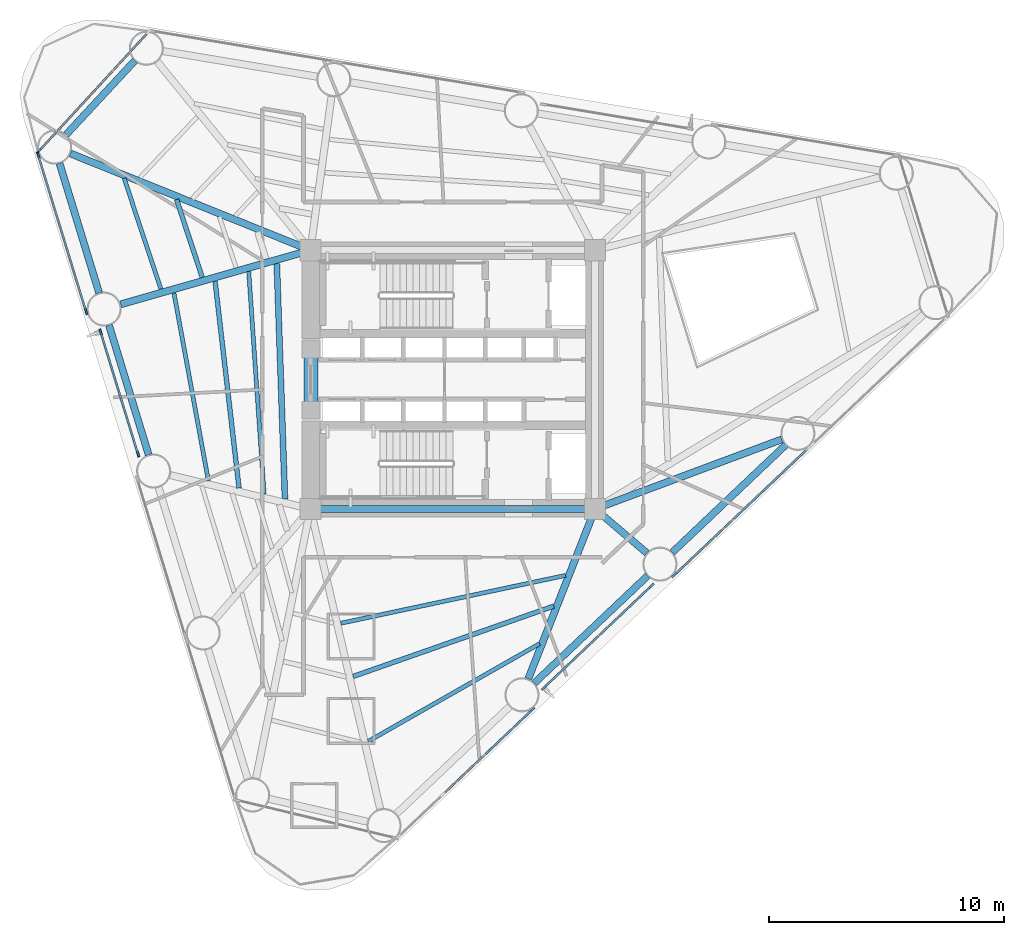
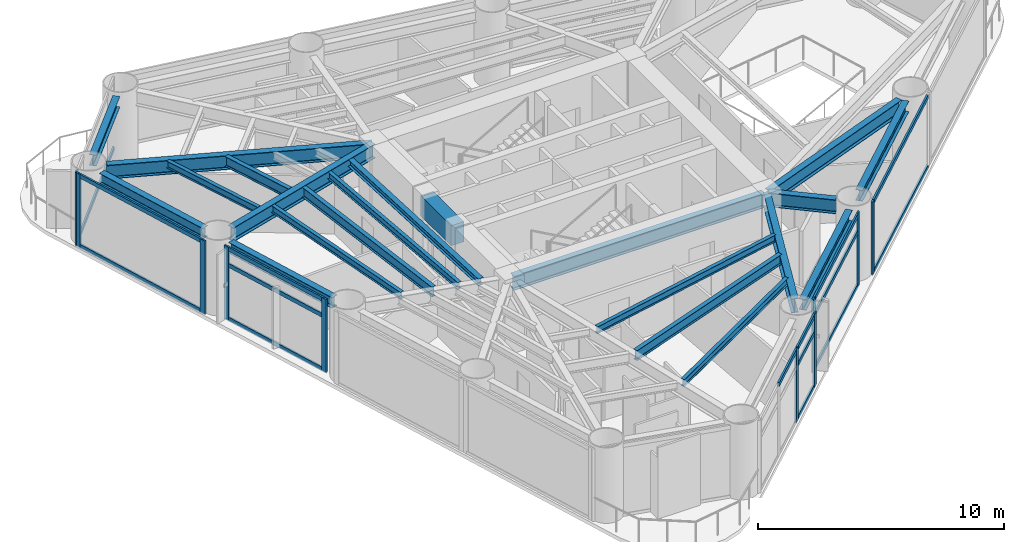
# One storey, part 2 of 10: 25 members, 21 beams, 6 elements without a shape of their own.
"""IFC4 building model written with IfcOpenShell, lengths in metres."""

import ifcopenshell
import ifcopenshell.guid

model = None  # the IFC model being written
_history = None  # IfcOwnerHistory: only IFC2X3 demands one
_inside = {}  # id of a spatial element -> (the spatial element, [elements in it])
_under = {}  # id of a project, library or spatial element -> (it, [spatial elements below it])
_declared = {}  # id of a project -> (the project, [libraries it declares])
_typed = {}  # id of a type object -> (the type object, [elements of that type])
_made_of = {}  # id of a material, layer set ... -> (it, [elements and type objects made of it])


def new_model(schema):
    """Start an empty IFC model of exactly this schema.

    Asked for "IFC4X3", IfcOpenShell would pick the latest addendum, in which some entities
    have other attributes; the version numbers below select the first issue.
    IFC2X3 requires an IfcOwnerHistory on every rooted entity: one is made here for all.
    """
    global model, _history
    if schema == "IFC4X3":
        model = ifcopenshell.file(schema_version=(4, 3, 0, 0))
    else:
        model = ifcopenshell.file(schema=schema)
    _inside.clear()
    _under.clear()
    _declared.clear()
    _typed.clear()
    _made_of.clear()
    _history = None
    if model.schema == "IFC2X3":
        org = make("IfcOrganization", Name="unknown")
        user = make(
            "IfcPersonAndOrganization",
            ThePerson=make("IfcPerson", FamilyName="unknown"),
            TheOrganization=org,
        )
        app = make(
            "IfcApplication",
            ApplicationDeveloper=org,
            Version="unknown",
            ApplicationFullName="unknown",
            ApplicationIdentifier="unknown",
        )
        _history = make(
            "IfcOwnerHistory",
            OwningUser=user,
            OwningApplication=app,
            ChangeAction="ADDED",
            CreationDate=0,
        )
    return model


def make(cls, **values):
    """One entity of the class cls with the attributes given. An attribute that is None is left unset."""
    return model.create_entity(
        cls, **{name: value for name, value in values.items() if value is not None}
    )


def rooted(cls, **values):
    """An entity with a GlobalId (a new one), such as an element, a storey or a relation."""
    return make(cls, GlobalId=ifcopenshell.guid.new(), OwnerHistory=_history, **values)


def si_unit(unit_type, name, prefix=None):
    """IfcSIUnit, for example si_unit("LENGTHUNIT", "METRE", prefix="MILLI")."""
    return make("IfcSIUnit", UnitType=unit_type, Prefix=prefix, Name=name)


def assignment(units):
    """IfcUnitAssignment: the units of a project."""
    return None if units is None else make("IfcUnitAssignment", Units=units)


def point(xyz):
    """IfcCartesianPoint."""
    return None if xyz is None else make("IfcCartesianPoint", Coordinates=xyz)


def direction(xyz):
    """IfcDirection."""
    return None if xyz is None else make("IfcDirection", DirectionRatios=xyz)


def frame(location, z_axis=None, x_axis=None):
    """IfcAxis2Placement3D, a coordinate frame: its origin and axes. An axis left out is left unset."""
    return make(
        "IfcAxis2Placement3D",
        Location=point(location),
        Axis=direction(z_axis),
        RefDirection=direction(x_axis),
    )


def frame_2d(location, x_axis=None):
    """IfcAxis2Placement2D, a coordinate frame in the plane: its origin and x axis."""
    return make(
        "IfcAxis2Placement2D", Location=point(location), RefDirection=direction(x_axis)
    )


def origin():
    """The frame at (0, 0, 0) with its axes left unset."""
    return frame((0.0, 0.0, 0.0))


def origin_2d():
    """The frame at (0, 0) in the plane with its x axis left unset."""
    return frame_2d((0.0, 0.0))


def place(relative_to, where):
    """IfcLocalPlacement: puts the frame where relative to a parent placement (None: the world)."""
    return make(
        "IfcLocalPlacement", PlacementRelTo=relative_to, RelativePlacement=where
    )


def context(
    kind, dimensions, precision=None, world=None, true_north=None, identifier=None
):
    """IfcGeometricRepresentationContext, for example the 3D "Model" context."""
    return make(
        "IfcGeometricRepresentationContext",
        ContextIdentifier=identifier,
        ContextType=kind,
        CoordinateSpaceDimension=dimensions,
        Precision=precision,
        WorldCoordinateSystem=world,
        TrueNorth=true_north,
    )


def subcontext(parent, identifier, kind, view, scale=None):
    """IfcGeometricRepresentationSubContext, for example "Body" below "Model"."""
    return make(
        "IfcGeometricRepresentationSubContext",
        ContextIdentifier=identifier,
        ContextType=kind,
        ParentContext=parent,
        TargetScale=scale,
        TargetView=view,
    )


def project(units=None, contexts=None):
    """IfcProject with its units and contexts."""
    return rooted(
        "IfcProject",
        Name="project",
        RepresentationContexts=contexts,
        UnitsInContext=assignment(units),
    )


def spatial(cls, under=None, at=None, **own):
    """A site, building, storey or space (cls), placed at a placement, below another one or the project."""
    s = rooted(cls, ObjectPlacement=at, **own)
    if under is not None:
        _under.setdefault(under.id(), (under, []))[1].append(s)
    return s


def profile(cls, at=None, kind="AREA", **sizes):
    """A parametric profile (cls). Its sizes go by their IFC names, for example OverallWidth=200.0."""
    return make(cls, ProfileType=kind, Position=at, **sizes)


def rectangle(**sizes):
    """IfcRectangleProfileDef."""
    return profile("IfcRectangleProfileDef", **sizes)


def i_section(**sizes):
    """IfcIShapeProfileDef."""
    return profile("IfcIShapeProfileDef", **sizes)


def extrude(swept, where, along, depth):
    """IfcExtrudedAreaSolid: the profile swept, set in the frame where, extruded along a direction by depth."""
    return make(
        "IfcExtrudedAreaSolid",
        SweptArea=swept,
        Position=where,
        ExtrudedDirection=direction(along),
        Depth=depth,
    )


def shape(context_of_items, identifier, shape_type, items):
    """IfcShapeRepresentation: the items that make up one representation, for example the "Body"."""
    return make(
        "IfcShapeRepresentation",
        ContextOfItems=context_of_items,
        RepresentationIdentifier=identifier,
        RepresentationType=shape_type,
        Items=items,
    )


def source(mapping_origin, context_of_items, identifier, shape_type, items):
    """IfcRepresentationMap: a shape defined once, which mapped items show again and again."""
    return make(
        "IfcRepresentationMap",
        MappingOrigin=mapping_origin,
        MappedRepresentation=shape(context_of_items, identifier, shape_type, items),
    )


def transform(
    local_origin,
    x_axis=None,
    y_axis=None,
    z_axis=None,
    scale=None,
    scale2=None,
    scale3=None,
    uniform=True,
):
    """IfcCartesianTransformationOperator3D, or its non-uniform kind. x_axis, y_axis, z_axis: its Axis1, 2, 3."""
    if uniform:
        return make(
            "IfcCartesianTransformationOperator3D",
            Axis1=direction(x_axis),
            Axis2=direction(y_axis),
            LocalOrigin=point(local_origin),
            Scale=scale,
            Axis3=direction(z_axis),
        )
    return make(
        "IfcCartesianTransformationOperator3DnonUniform",
        Axis1=direction(x_axis),
        Axis2=direction(y_axis),
        LocalOrigin=point(local_origin),
        Scale=scale,
        Axis3=direction(z_axis),
        Scale2=scale2,
        Scale3=scale3,
    )


def mapped(mapping_source, mapping_target):
    """IfcMappedItem: shows the shape of a source again, moved by a transform."""
    return make(
        "IfcMappedItem", MappingSource=mapping_source, MappingTarget=mapping_target
    )


def material(Name=None, Category=None):
    """IfcMaterial."""
    return make("IfcMaterial", Name=Name, Category=Category)


def layer(
    of_material, thickness, ventilated=None, Name=None, Category=None, Priority=None
):
    """IfcMaterialLayer: one layer of a wall or slab, of a material (None: an air gap)."""
    return make(
        "IfcMaterialLayer",
        Material=of_material,
        LayerThickness=thickness,
        IsVentilated=ventilated,
        Name=Name,
        Category=Category,
        Priority=Priority,
    )


def layer_set(layers, Name=None):
    """IfcMaterialLayerSet."""
    return make("IfcMaterialLayerSet", MaterialLayers=layers, LayerSetName=Name)


def material_profile(
    of_material, cross_section, Name=None, Category=None, Priority=None
):
    """IfcMaterialProfile: a cross section and its material."""
    return make(
        "IfcMaterialProfile",
        Name=Name,
        Material=of_material,
        Profile=cross_section,
        Priority=Priority,
        Category=Category,
    )


def profile_set(profiles, Name=None, composite=None):
    """IfcMaterialProfileSet."""
    return make(
        "IfcMaterialProfileSet",
        Name=Name,
        MaterialProfiles=profiles,
        CompositeProfile=composite,
    )


def made_of(thing, what):
    """Note that an element or type object is made of a material, layer set ...; save() writes the relation."""
    if what is not None:
        _made_of.setdefault(what.id(), (what, []))[1].append(thing)
    return thing


def type_object(cls, material=None, **own):
    """A type object (cls), such as IfcWallType, which elements share."""
    return made_of(rooted(cls, **own), material)


def element(
    cls,
    number,
    at=None,
    inside=None,
    cuts=None,
    type_object=None,
    material=None,
    context=None,
    identifier="Body",
    shape_type=None,
    held_by="IfcProductDefinitionShape",
    body=None,
    shapes=None,
    **own,
):
    """One element of the class cls, such as IfcWall. Its Tag is "e" and its number.

    at: its placement. inside: the storey or other place that contains it. cuts: it is an
    opening in that element (IfcRelVoidsElement). A single representation is given by context,
    identifier, shape_type and body (its items); several are given by shapes. held_by: the class
    of the entity that holds the representations. save() writes the other relations.
    """
    e = rooted(cls, Tag="e%d" % number, ObjectPlacement=at, **own)
    if body is not None:
        shapes = [shape(context, identifier, shape_type, body)]
    if shapes is not None:
        e.Representation = make(held_by, Representations=shapes)
    if inside is not None:
        _inside.setdefault(inside.id(), (inside, []))[1].append(e)
    if cuts is not None:
        rooted(
            "IfcRelVoidsElement", RelatingBuildingElement=cuts, RelatedOpeningElement=e
        )
    if type_object is not None:
        _typed.setdefault(type_object.id(), (type_object, []))[1].append(e)
    return made_of(e, material)


def aggregate(whole, parts):
    """IfcRelAggregates: a whole, such as a stair, and the parts it consists of."""
    return rooted("IfcRelAggregates", RelatingObject=whole, RelatedObjects=parts)


def save(model, path):
    """Write the relations noted so far, then the file.

    IfcRelAggregates (storeys below a building ...), IfcRelContainedInSpatialStructure (elements
    in a storey), IfcRelDefinesByType, IfcRelAssociatesMaterial and IfcRelDeclares: one each for
    every whole, place, type object, material and project.
    """
    for whole, parts in _under.values():
        aggregate(whole, parts)
    for where, things in _inside.values():
        rooted(
            "IfcRelContainedInSpatialStructure",
            RelatedElements=things,
            RelatingStructure=where,
        )
    for kind, things in _typed.values():
        rooted("IfcRelDefinesByType", RelatedObjects=things, RelatingType=kind)
    for what, things in _made_of.values():
        rooted("IfcRelAssociatesMaterial", RelatedObjects=things, RelatingMaterial=what)
    for by, libraries in _declared.values():
        rooted("IfcRelDeclares", RelatingContext=by, RelatedDefinitions=libraries)
    model.write(path)


model = new_model("IFC4")

# Units and contexts
model_context = context("Model", 3, precision=1e-05, world=origin(), true_north=direction((0.0, 1.0)))
body_context = subcontext(model_context, "Body", "Model", "MODEL_VIEW")
ifc_project = project(units=[si_unit("LENGTHUNIT", "METRE"), si_unit("AREAUNIT", "SQUARE_METRE"), si_unit("VOLUMEUNIT", "CUBIC_METRE"), si_unit("PLANEANGLEUNIT", "RADIAN"), si_unit("MASSUNIT", "GRAM", prefix="KILO")], contexts=[model_context])

# Site, building, storey
site_placement = place(None, origin())
site = spatial("IfcSite", under=ifc_project, at=site_placement, CompositionType="ELEMENT")
building_placement = place(site_placement, origin())
building = spatial("IfcBuilding", under=site, at=building_placement, Name="Yunling Apex Tower", CompositionType="ELEMENT")
storey_placement = place(building_placement, frame((0.0, 0.0, 108.64990234375)))
storey = spatial("IfcBuildingStorey", under=building, at=storey_placement, Name="L27", CompositionType="ELEMENT", Elevation=108.64990234375)

# Beams
ifc_material_1 = material(Name="Concrete C60", Category="concrete")
ifc_material_profile_1 = material_profile(ifc_material_1, rectangle(XDim=0.60009765625, YDim=1.0, at=origin_2d()))
ifc_profile_set_1 = profile_set([ifc_material_profile_1], Name="Concrete C60")
beam_type_1 = type_object("IfcBeamType", Name="BC-CPL-1", PredefinedType="BEAM", material=ifc_profile_set_1)
shared_shape_1 = source(origin(), body_context, "Body", "SweptSolid", [
    extrude(rectangle(XDim=0.60009765625, YDim=1.0, at=origin_2d()), origin(), (0.0, 0.0, 1.0), 2.5),
])
beam_1_placement = place(storey_placement, frame((-6.02490234375, -1.25, 3.065185546875), z_axis=(0.0, 1.0, 0.0), x_axis=(-1.0, 0.0, 0.0)))
element("IfcBeam", 1, at=beam_1_placement, inside=storey, type_object=beam_type_1, Name="L27 Core West Portal Coupling Beam", PredefinedType="BEAM", context=body_context, shape_type="MappedRepresentation", body=[
    mapped(shared_shape_1, transform((0.0, 0.0, 0.0), scale=1.0)),
])
ifc_material_2 = material(Name="Steel Q355B", Category="steel")
ifc_material_profile_2 = material_profile(ifc_material_2, i_section(OverallWidth=0.300048828125, OverallDepth=0.699951171875, WebThickness=0.012939453125, FlangeThickness=0.02392578125, FilletRadius=0.02587890625, at=origin_2d()))
ifc_profile_set_2 = profile_set([ifc_material_profile_2], Name="Steel Q355B")
beam_type_2 = type_object("IfcBeamType", Name="BG-PRI-3", PredefinedType="USERDEFINED", material=ifc_profile_set_2)
shared_shape_2 = source(origin(), body_context, "Body", "SweptSolid", [
    extrude(i_section(OverallWidth=0.300048828125, OverallDepth=0.699951171875, WebThickness=0.012939453125, FlangeThickness=0.02392578125, FilletRadius=0.02587890625, at=origin_2d()), origin(), (0.0, 0.0, 1.0), 11.7998046875),
])
beam_2_placement = place(storey_placement, frame((-5.89990234375, -5.5, 3.215087890625), z_axis=(1.0, 0.0, 0.0), x_axis=(0.0, 1.0, 0.0)))
element("IfcBeam", 2, at=beam_2_placement, inside=storey, type_object=beam_type_2, Name="L27 Core Ring Tie Beam 1", ObjectType="GIRDER", PredefinedType="USERDEFINED", context=body_context, shape_type="MappedRepresentation", body=[
    mapped(shared_shape_2, transform((0.0, 0.0, 0.0), scale=1.0)),
])
ifc_material_profile_3 = material_profile(ifc_material_2, i_section(OverallWidth=0.300048828125, OverallDepth=0.5400390625, WebThickness=0.011962890625, FlangeThickness=0.02001953125, FilletRadius=0.02392578125, at=origin_2d()))
ifc_profile_set_3 = profile_set([ifc_material_profile_3], Name="Steel Q355B")
beam_type_3 = type_object("IfcBeamType", Name="BP-SPN-1", PredefinedType="SPANDREL", material=ifc_profile_set_3)
shared_shape_3 = source(origin(), body_context, "Body", "SweptSolid", [
    extrude(i_section(OverallWidth=0.300048828125, OverallDepth=0.5400390625, WebThickness=0.011962890625, FlangeThickness=0.02001953125, FilletRadius=0.02392578125, at=origin_2d()), origin(), (0.0, 0.0, 1.0), 6.6416015625),
])
for number, where, z_axis, x_axis, name in (
    (3, (3.465087890625, -12.90771484375, 3.295166015625), (0.725873473547, 0.687828249203, 0.0), (-0.687828249203, 0.725873473547, 0.0), "L27 Perimeter Spandrel Beam 2"),
    (4, (9.330078125, -7.35009765625, 3.295166015625), (0.72585608204, 0.687846602205, 0.0), (-0.687846602205, 0.72585608204, 0.0), "L27 Perimeter Spandrel Beam 3"),
):
    element("IfcBeam", number, at=place(storey_placement, frame(where, z_axis=z_axis, x_axis=x_axis)), inside=storey, type_object=beam_type_3, Name=name, PredefinedType="SPANDREL", context=body_context, shape_type="MappedRepresentation", body=[
        mapped(shared_shape_3, transform((0.0, 0.0, 0.0), scale=1.0)),
    ])
shared_shape_4 = source(origin(), body_context, "Body", "SweptSolid", [
    extrude(i_section(OverallWidth=0.300048828125, OverallDepth=0.5400390625, WebThickness=0.011962890625, FlangeThickness=0.02001953125, FilletRadius=0.02392578125, at=origin_2d()), origin(), (0.0, 0.0, 1.0), 4.296875),
])
beam_3_placement = place(storey_placement, frame((-13.513671875, 13.55810546875, 3.295166015625), z_axis=(-0.680634144105, -0.732623478929, 0.0), x_axis=(0.732623478929, -0.680634144105, 0.0)))
element("IfcBeam", 5, at=beam_3_placement, inside=storey, type_object=beam_type_3, Name="L27 Perimeter Spandrel Beam 10", PredefinedType="SPANDREL", context=body_context, shape_type="MappedRepresentation", body=[
    mapped(shared_shape_4, transform((0.0, 0.0, 0.0), scale=1.0)),
])
shared_shape_5 = source(origin(), body_context, "Body", "SweptSolid", [
    extrude(i_section(OverallWidth=0.300048828125, OverallDepth=0.5400390625, WebThickness=0.011962890625, FlangeThickness=0.02001953125, FilletRadius=0.02392578125, at=origin_2d()), origin(), (0.0, 0.0, 1.0), 5.76220703125),
])
for number, where, z_axis, x_axis, name in (
    (6, (-16.71728515625, 9.19580078125, 3.295166015625), (0.292346626925, -0.956312422656, 0.0), (0.956312422656, 0.292346626925, 0.0), "L27 Perimeter Spandrel Beam 11"),
    (7, (-14.6123046875, 2.31005859375, 3.295166015625), (0.292385374143, -0.956300576695, 0.0), (0.956300576695, 0.292385374143, 0.0), "L27 Perimeter Spandrel Beam 12"),
):
    element("IfcBeam", number, at=place(storey_placement, frame(where, z_axis=z_axis, x_axis=x_axis)), inside=storey, type_object=beam_type_3, Name=name, PredefinedType="SPANDREL", context=body_context, shape_type="MappedRepresentation", body=[
        mapped(shared_shape_5, transform((0.0, 0.0, 0.0), scale=1.0)),
    ])
shared_shape_6 = source(origin(), body_context, "Body", "SweptSolid", [
    extrude(i_section(OverallWidth=0.300048828125, OverallDepth=0.699951171875, WebThickness=0.012939453125, FlangeThickness=0.02392578125, FilletRadius=0.02587890625, at=origin_2d()), origin(), (0.0, 0.0, 1.0), 7.67822265625),
])
beam_4_placement = place(storey_placement, frame((3.21142578125, -12.72021484375, 3.215087890625), z_axis=(0.365885513893, 0.930659868439, 0.0), x_axis=(-0.930659868439, 0.365885513893, 0.0)))
element("IfcBeam", 8, at=beam_4_placement, inside=storey, type_object=beam_type_2, Name="L27 Radial Primary Girder R02", ObjectType="GIRDER", PredefinedType="USERDEFINED", context=body_context, shape_type="MappedRepresentation", body=[
    mapped(shared_shape_6, transform((0.0, 0.0, 0.0), scale=1.0)),
])
shared_shape_7 = source(origin(), body_context, "Body", "SweptSolid", [
    extrude(i_section(OverallWidth=0.300048828125, OverallDepth=0.699951171875, WebThickness=0.012939453125, FlangeThickness=0.02392578125, FilletRadius=0.02587890625, at=origin_2d()), origin(), (0.0, 0.0, 1.0), 2.80712890625),
])
beam_5_placement = place(storey_placement, frame((8.24951171875, -7.3701171875, 3.215087890625), z_axis=(-0.761816983267, 0.647792315489, 0.0), x_axis=(-0.647792315489, -0.761816983267, 0.0)))
element("IfcBeam", 9, at=beam_5_placement, inside=storey, type_object=beam_type_2, Name="L27 Radial Primary Girder R03", ObjectType="GIRDER", PredefinedType="USERDEFINED", context=body_context, shape_type="MappedRepresentation", body=[
    mapped(shared_shape_7, transform((0.0, 0.0, 0.0), scale=1.0)),
])
shared_shape_8 = source(origin(), body_context, "Body", "SweptSolid", [
    extrude(i_section(OverallWidth=0.300048828125, OverallDepth=0.699951171875, WebThickness=0.012939453125, FlangeThickness=0.02392578125, FilletRadius=0.02587890625, at=origin_2d()), origin(), (0.0, 0.0, 1.0), 8.388916015625),
])
beam_6_placement = place(storey_placement, frame((13.98583984375, -2.54296875, 3.215087890625), z_axis=(-0.937056723422, -0.349177171489, 0.0), x_axis=(0.349177171489, -0.937056723422, 0.0)))
element("IfcBeam", 10, at=beam_6_placement, inside=storey, type_object=beam_type_2, Name="L27 Radial Primary Girder R04", ObjectType="GIRDER", PredefinedType="USERDEFINED", context=body_context, shape_type="MappedRepresentation", body=[
    mapped(shared_shape_8, transform((0.0, 0.0, 0.0), scale=1.0)),
])
shared_shape_9 = source(origin(), body_context, "Body", "SweptSolid", [
    extrude(i_section(OverallWidth=0.300048828125, OverallDepth=0.699951171875, WebThickness=0.012939453125, FlangeThickness=0.02392578125, FilletRadius=0.02587890625, at=origin_2d()), origin(), (0.0, 0.0, 1.0), 10.91455078125),
])
beam_7_placement = place(storey_placement, frame((-16.247802734375, 9.609375, 3.215087890625), z_axis=(0.927520283233, -0.373772824309, 0.0), x_axis=(0.373772824309, 0.927520283233, 0.0)))
element("IfcBeam", 11, at=beam_7_placement, inside=storey, type_object=beam_type_2, Name="L27 Radial Primary Girder R11", ObjectType="GIRDER", PredefinedType="USERDEFINED", context=body_context, shape_type="MappedRepresentation", body=[
    mapped(shared_shape_9, transform((0.0, 0.0, 0.0), scale=1.0)),
])
shared_shape_10 = source(origin(), body_context, "Body", "SweptSolid", [
    extrude(i_section(OverallWidth=0.300048828125, OverallDepth=0.699951171875, WebThickness=0.012939453125, FlangeThickness=0.02392578125, FilletRadius=0.02587890625, at=origin_2d()), origin(), (0.0, 0.0, 1.0), 8.309326171875),
])
beam_8_placement = place(storey_placement, frame((-14.117431640625, 3.19873046875, 3.215087890625), z_axis=(0.961641387397, 0.274309755652, 0.0), x_axis=(-0.274309755652, 0.961641387397, 0.0)))
element("IfcBeam", 12, at=beam_8_placement, inside=storey, type_object=beam_type_2, Name="L27 Radial Primary Girder R12", ObjectType="GIRDER", PredefinedType="USERDEFINED", context=body_context, shape_type="MappedRepresentation", body=[
    mapped(shared_shape_10, transform((0.0, 0.0, 0.0), scale=1.0)),
])
ifc_material_profile_4 = material_profile(ifc_material_2, i_section(OverallWidth=0.199951171875, OverallDepth=0.5, WebThickness=0.010009765625, FlangeThickness=0.01611328125, FilletRadius=0.02001953125, at=origin_2d()))
ifc_profile_set_4 = profile_set([ifc_material_profile_4], Name="Steel Q355B")
beam_type_4 = type_object("IfcBeamType", Name="BS-SEC-2", PredefinedType="BEAM", material=ifc_profile_set_4)
shared_shape_11 = source(origin(), body_context, "Body", "SweptSolid", [
    extrude(i_section(OverallWidth=0.199951171875, OverallDepth=0.5, WebThickness=0.010009765625, FlangeThickness=0.01611328125, FilletRadius=0.02001953125, at=origin_2d()), origin(), (0.0, 0.0, 1.0), 9.03759765625),
])
beam_9_placement = place(storey_placement, frame((-4.23193359375, -12.619140625, 3.315185546875), z_axis=(0.943677540759, 0.330866588018, 0.0), x_axis=(-0.330866588018, 0.943677540759, 0.0)))
element("IfcBeam", 13, at=beam_9_placement, inside=storey, type_object=beam_type_4, Name="L27 Composite Floor Beam BS-1", PredefinedType="BEAM", context=body_context, shape_type="MappedRepresentation", body=[
    mapped(shared_shape_11, transform((0.0, 0.0, 0.0), scale=1.0)),
])
ifc_material_profile_5 = material_profile(ifc_material_2, i_section(OverallWidth=0.175048828125, OverallDepth=0.35009765625, WebThickness=0.007080078125, FlangeThickness=0.010986328125, FilletRadius=0.013916015625, at=origin_2d()))
ifc_profile_set_5 = profile_set([ifc_material_profile_5], Name="Steel Q355B")
beam_type_5 = type_object("IfcBeamType", Name="BJ-JST-1", PredefinedType="JOIST", material=ifc_profile_set_5)
shared_shape_12 = source(origin(), body_context, "Body", "SweptSolid", [
    extrude(i_section(OverallWidth=0.175048828125, OverallDepth=0.35009765625, WebThickness=0.007080078125, FlangeThickness=0.010986328125, FilletRadius=0.013916015625, at=origin_2d()), origin(), (0.0, 0.0, 1.0), 8.38671875),
])
beam_10_placement = place(storey_placement, frame((-3.59619140625, -15.3798828125, 3.39013671875), z_axis=(0.868817593772, 0.495132294192, 0.0), x_axis=(-0.495132294192, 0.868817593772, 0.0)))
element("IfcBeam", 14, at=beam_10_placement, inside=storey, type_object=beam_type_5, Name="L27 Composite Floor Joist BJ1-1", PredefinedType="JOIST", context=body_context, shape_type="MappedRepresentation", body=[
    mapped(shared_shape_12, transform((0.0, 0.0, 0.0), scale=1.0)),
])
shared_shape_13 = source(origin(), body_context, "Body", "SweptSolid", [
    extrude(i_section(OverallWidth=0.175048828125, OverallDepth=0.35009765625, WebThickness=0.007080078125, FlangeThickness=0.010986328125, FilletRadius=0.013916015625, at=origin_2d()), origin(), (0.0, 0.0, 1.0), 9.767578125),
])
beam_11_placement = place(storey_placement, frame((-4.756591796875, -10.3583984375, 3.39013671875), z_axis=(0.978052637888, 0.208357955263, 0.0), x_axis=(-0.208357955263, 0.978052637888, 0.0)))
element("IfcBeam", 15, at=beam_11_placement, inside=storey, type_object=beam_type_5, Name="L27 Composite Floor Joist BJ3-1", PredefinedType="JOIST", context=body_context, shape_type="MappedRepresentation", body=[
    mapped(shared_shape_13, transform((0.0, 0.0, 0.0), scale=1.0)),
])
shared_shape_14 = source(origin(), body_context, "Body", "SweptSolid", [
    extrude(i_section(OverallWidth=0.199951171875, OverallDepth=0.5, WebThickness=0.010009765625, FlangeThickness=0.01611328125, FilletRadius=0.02001953125, at=origin_2d()), origin(), (0.0, 0.0, 1.0), 3.484130859375),
])
beam_12_placement = place(storey_placement, frame((-11.7431640625, 7.662353515625, 3.315185546875), z_axis=(0.313220106306, -0.949680559455, 0.0), x_axis=(0.949680559455, 0.313220106306, 0.0)))
element("IfcBeam", 16, at=beam_12_placement, inside=storey, type_object=beam_type_4, Name="L27 Composite Floor Beam BS-11", PredefinedType="BEAM", context=body_context, shape_type="MappedRepresentation", body=[
    mapped(shared_shape_14, transform((0.0, 0.0, 0.0), scale=1.0)),
])
shared_shape_15 = source(origin(), body_context, "Body", "SweptSolid", [
    extrude(i_section(OverallWidth=0.175048828125, OverallDepth=0.35009765625, WebThickness=0.007080078125, FlangeThickness=0.010986328125, FilletRadius=0.013916015625, at=origin_2d()), origin(), (0.0, 0.0, 1.0), 4.959716796875),
])
beam_13_placement = place(storey_placement, frame((-13.97021484375, 8.56005859375, 3.39013671875), z_axis=(0.314588147489, -0.949228264149, 0.0), x_axis=(0.949228264149, 0.314588147489, 0.0)))
element("IfcBeam", 17, at=beam_13_placement, inside=storey, type_object=beam_type_5, Name="L27 Composite Floor Joist BJ1-11", PredefinedType="JOIST", context=body_context, shape_type="MappedRepresentation", body=[
    mapped(shared_shape_15, transform((0.0, 0.0, 0.0), scale=1.0)),
])
shared_shape_16 = source(origin(), body_context, "Body", "SweptSolid", [
    extrude(i_section(OverallWidth=0.199951171875, OverallDepth=0.5, WebThickness=0.010009765625, FlangeThickness=0.01611328125, FilletRadius=0.02001953125, at=origin_2d()), origin(), (0.0, 0.0, 1.0), 8.85009765625),
])
beam_14_placement = place(storey_placement, frame((-10.103759765625, 4.179443359375, 3.315185546875), z_axis=(0.115144483353, -0.993348754443, 0.0), x_axis=(0.993348754443, 0.115144483353, 0.0)))
element("IfcBeam", 18, at=beam_14_placement, inside=storey, type_object=beam_type_4, Name="L27 Composite Floor Beam BS-12", PredefinedType="BEAM", context=body_context, shape_type="MappedRepresentation", body=[
    mapped(shared_shape_16, transform((0.0, 0.0, 0.0), scale=1.0)),
])
shared_shape_17 = source(origin(), body_context, "Body", "SweptSolid", [
    extrude(i_section(OverallWidth=0.175048828125, OverallDepth=0.35009765625, WebThickness=0.007080078125, FlangeThickness=0.010986328125, FilletRadius=0.013916015625, at=origin_2d()), origin(), (0.0, 0.0, 1.0), 8.113525390625),
])
beam_15_placement = place(storey_placement, frame((-11.851318359375, 3.6796875, 3.39013671875), z_axis=(0.180333691295, -0.983605489912, 0.0), x_axis=(0.983605489912, 0.180333691295, 0.0)))
element("IfcBeam", 19, at=beam_15_placement, inside=storey, type_object=beam_type_5, Name="L27 Composite Floor Joist BJ1-12", PredefinedType="JOIST", context=body_context, shape_type="MappedRepresentation", body=[
    mapped(shared_shape_17, transform((0.0, 0.0, 0.0), scale=1.0)),
])
shared_shape_18 = source(origin(), body_context, "Body", "SweptSolid", [
    extrude(i_section(OverallWidth=0.175048828125, OverallDepth=0.35009765625, WebThickness=0.007080078125, FlangeThickness=0.010986328125, FilletRadius=0.013916015625, at=origin_2d()), origin(), (0.0, 0.0, 1.0), 9.478515625),
])
beam_16_placement = place(storey_placement, frame((-8.6728515625, 4.589111328125, 3.39013671875), z_axis=(0.068925846819, -0.997621785869, 0.0), x_axis=(0.997621785869, 0.068925846819, 0.0)))
element("IfcBeam", 20, at=beam_16_placement, inside=storey, type_object=beam_type_5, Name="L27 Composite Floor Joist BJ3-12", PredefinedType="JOIST", context=body_context, shape_type="MappedRepresentation", body=[
    mapped(shared_shape_18, transform((0.0, 0.0, 0.0), scale=1.0)),
])
ifc_material_profile_6 = material_profile(ifc_material_2, i_section(OverallWidth=0.25, OverallDepth=0.340087890625, WebThickness=0.009033203125, FlangeThickness=0.013916015625, FilletRadius=0.01806640625, at=origin_2d()))
ifc_profile_set_6 = profile_set([ifc_material_profile_6], Name="Steel Q355B")
beam_type_6 = type_object("IfcBeamType", Name="BJ-JST-2", PredefinedType="JOIST", material=ifc_profile_set_6)
shared_shape_19 = source(origin(), body_context, "Body", "SweptSolid", [
    extrude(i_section(OverallWidth=0.25, OverallDepth=0.340087890625, WebThickness=0.009033203125, FlangeThickness=0.013916015625, FilletRadius=0.01806640625, at=origin_2d()), origin(), (0.0, 0.0, 1.0), 10.016357421875),
])
beam_17_placement = place(storey_placement, frame((-7.479736328125, 4.9306640625, 3.39501953125), z_axis=(0.034684741857, -0.999398303322, 0.0), x_axis=(0.999398303322, 0.034684741857, 0.0)))
element("IfcBeam", 21, at=beam_17_placement, inside=storey, type_object=beam_type_6, Name="L27 Composite Floor Joist BJ2-12", PredefinedType="JOIST", context=body_context, shape_type="MappedRepresentation", body=[
    mapped(shared_shape_19, transform((0.0, 0.0, 0.0), scale=1.0)),
])

# Curtain wall, members
ifc_material_3 = material(Name="Bronze anodised aluminium", Category="aluminium")
ifc_layer = layer(ifc_material_3, 0.260009765625)
ifc_layer_set = layer_set([ifc_layer], Name="Bronze anodised aluminium")
curtain_wall_type = type_object("IfcCurtainWallType", Name="CW-SYS-2", PredefinedType="NOTDEFINED", material=ifc_layer_set)
curtain_wall_1_placement = place(storey_placement, origin())
curtain_wall_1 = element("IfcCurtainWall", 22, at=curtain_wall_1_placement, inside=storey, type_object=curtain_wall_type, Name="CW-L27-F1-B1", PredefinedType="NOTDEFINED")
ifc_material_profile_7 = material_profile(ifc_material_3, rectangle(XDim=0.0849609375, YDim=0.260009765625, at=origin_2d()))
ifc_profile_set_7 = profile_set([ifc_material_profile_7], Name="Bronze anodised aluminium")
member_type_1 = type_object("IfcMemberType", Name="CW-MUL-2", PredefinedType="MULLION", material=ifc_profile_set_7)
shared_shape_20 = source(origin(), body_context, "Body", "SweptSolid", [
    extrude(rectangle(XDim=0.0849609375, YDim=0.260009765625, at=origin_2d()), origin(), (0.0, 0.0, 1.0), 3.664794921875),
])
member_1_placement = place(storey_placement, frame((1.491943359375, -15.824951171875, -0.0498046875), z_axis=(0.0, 0.0, 1.0), x_axis=(-0.687861264918, 0.72584218686, 0.0)))
member_1 = element("IfcMember", 23, at=member_1_placement, type_object=member_type_1, Name="CW-SYS-2 mullion 3", PredefinedType="MULLION", context=body_context, shape_type="MappedRepresentation", body=[
    mapped(shared_shape_20, transform((0.0, 0.0, 0.0), scale=1.0)),
])
member_2_placement = place(storey_placement, frame((3.377197265625, -14.038330078125, -0.0498046875), z_axis=(0.0, 0.0, 1.0), x_axis=(-0.687861264918, 0.72584218686, 0.0)))
member_2 = element("IfcMember", 24, at=member_2_placement, type_object=member_type_1, Name="CW-SYS-2 mullion 4", PredefinedType="MULLION", context=body_context, shape_type="MappedRepresentation", body=[
    mapped(shared_shape_20, transform((0.0, 0.0, 0.0), scale=1.0)),
])

curtain_wall_2_placement = place(storey_placement, origin())
curtain_wall_2 = element("IfcCurtainWall", 25, at=curtain_wall_2_placement, inside=storey, type_object=curtain_wall_type, Name="CW-L27-F1-B2", PredefinedType="NOTDEFINED")
member_3_placement = place(storey_placement, frame((3.87646484375, -13.096923828125, -0.0498046875), z_axis=(0.0, 0.0, 1.0), x_axis=(-0.687844480924, 0.725858092234, 0.0)))
member_3 = element("IfcMember", 26, at=member_3_placement, type_object=member_type_1, Name="CW-SYS-2 mullion 1", PredefinedType="MULLION", context=body_context, shape_type="MappedRepresentation", body=[
    mapped(shared_shape_20, transform((0.0, 0.0, 0.0), scale=1.0)),
])
member_4_placement = place(storey_placement, frame((8.452880859375, -8.76025390625, -0.0498046875), z_axis=(0.0, 0.0, 1.0), x_axis=(-0.687844480924, 0.725858092234, 0.0)))
member_4 = element("IfcMember", 27, at=member_4_placement, type_object=member_type_1, Name="CW-SYS-2 mullion 2", PredefinedType="MULLION", context=body_context, shape_type="MappedRepresentation", body=[
    mapped(shared_shape_20, transform((0.0, 0.0, 0.0), scale=1.0)),
])

# Curtain wall, member
curtain_wall_3_placement = place(storey_placement, origin())
curtain_wall_3 = element("IfcCurtainWall", 28, at=curtain_wall_3_placement, inside=storey, type_object=curtain_wall_type, Name="CW-L27-F1-B3", PredefinedType="NOTDEFINED")
member_5_placement = place(storey_placement, frame((9.419921875, -8.312255859375, -0.0498046875), z_axis=(0.0, 0.0, 1.0), x_axis=(-0.687861264918, 0.72584218686, 0.0)))
member_5 = element("IfcMember", 29, at=member_5_placement, type_object=member_type_1, Name="CW-SYS-2 mullion 1", PredefinedType="MULLION", context=body_context, shape_type="MappedRepresentation", body=[
    mapped(shared_shape_20, transform((0.0, 0.0, 0.0), scale=1.0)),
])

curtain_wall_4_placement = place(storey_placement, origin())
curtain_wall_4 = element("IfcCurtainWall", 30, at=curtain_wall_4_placement, inside=storey, type_object=curtain_wall_type, Name="CW-L27-CRN2", PredefinedType="NOTDEFINED")
member_6_placement = place(storey_placement, frame((-17.6064453125, 9.6982421875, -0.0498046875), z_axis=(0.0, 0.0, 1.0), x_axis=(0.736184624933, -0.676780760669, 0.0)))
member_6 = element("IfcMember", 31, at=member_6_placement, type_object=member_type_1, Name="CW-SYS-2 mullion 2", PredefinedType="MULLION", context=body_context, shape_type="MappedRepresentation", body=[
    mapped(shared_shape_20, transform((0.0, 0.0, 0.0), scale=1.0)),
])

# Curtain wall, members
curtain_wall_5_placement = place(storey_placement, origin())
curtain_wall_5 = element("IfcCurtainWall", 32, at=curtain_wall_5_placement, inside=storey, type_object=curtain_wall_type, Name="CW-L27-F3-B1", PredefinedType="NOTDEFINED")
member_7_placement = place(storey_placement, frame((-17.61865234375, 9.5439453125, -0.0498046875), z_axis=(0.0, 0.0, 1.0), x_axis=(0.956304476342, 0.292372619321, 0.0)))
member_7 = element("IfcMember", 33, at=member_7_placement, type_object=member_type_1, Name="CW-SYS-2 mullion 1", PredefinedType="MULLION", context=body_context, shape_type="MappedRepresentation", body=[
    mapped(shared_shape_20, transform((0.0, 0.0, 0.0), scale=1.0)),
])
member_8_placement = place(storey_placement, frame((-15.5849609375, 2.892578125, -0.0498046875), z_axis=(0.0, 0.0, 1.0), x_axis=(0.956304476342, 0.292372619321, 0.0)))
member_8 = element("IfcMember", 34, at=member_8_placement, type_object=member_type_1, Name="CW-SYS-2 mullion 2", PredefinedType="MULLION", context=body_context, shape_type="MappedRepresentation", body=[
    mapped(shared_shape_20, transform((0.0, 0.0, 0.0), scale=1.0)),
])

curtain_wall_6_placement = place(storey_placement, origin())
curtain_wall_6 = element("IfcCurtainWall", 35, at=curtain_wall_6_placement, inside=storey, type_object=curtain_wall_type, Name="CW-L27-F3-B2", PredefinedType="NOTDEFINED")
member_9_placement = place(storey_placement, frame((-14.964599609375, 2.026123046875, -0.0498046875), z_axis=(0.0, 0.0, 1.0), x_axis=(0.956307182672, 0.292363767199, 0.0)))
member_9 = element("IfcMember", 36, at=member_9_placement, type_object=member_type_1, Name="CW-SYS-2 mullion 1", PredefinedType="MULLION", context=body_context, shape_type="MappedRepresentation", body=[
    mapped(shared_shape_20, transform((0.0, 0.0, 0.0), scale=1.0)),
])
member_10_placement = place(storey_placement, frame((-13.37841796875, -3.162109375, -0.0498046875), z_axis=(0.0, 0.0, 1.0), x_axis=(0.956307182672, 0.292363767199, 0.0)))
member_10 = element("IfcMember", 37, at=member_10_placement, type_object=member_type_1, Name="CW-SYS-2 mullion 2", PredefinedType="MULLION", context=body_context, shape_type="MappedRepresentation", body=[
    mapped(shared_shape_20, transform((0.0, 0.0, 0.0), scale=1.0)),
])

# Member
ifc_material_profile_8 = material_profile(ifc_material_3, rectangle(XDim=0.0849609375, YDim=0.199951171875, at=origin_2d()))
ifc_profile_set_8 = profile_set([ifc_material_profile_8], Name="Bronze anodised aluminium")
member_type_2 = type_object("IfcMemberType", Name="CW-TRN-2", PredefinedType="USERDEFINED", material=ifc_profile_set_8)
shared_shape_21 = source(origin(), body_context, "Body", "SweptSolid", [
    extrude(rectangle(XDim=0.0849609375, YDim=0.199951171875, at=origin_2d()), origin(), (0.0, 0.0, 1.0), 2.563232421875),
])
member_11_placement = place(storey_placement, frame((-0.396484375, -17.614501953125, 3.522705078125), z_axis=(0.725852566003, 0.687850312515, 0.0), x_axis=(-0.687850312515, 0.725852566003, 0.0)))
member_11 = element("IfcMember", 38, at=member_11_placement, type_object=member_type_2, Name="CW-SYS-2 transom 2.3", ObjectType="TRANSOM", PredefinedType="USERDEFINED", context=body_context, shape_type="MappedRepresentation", body=[
    mapped(shared_shape_21, transform((0.0, 0.0, 0.0), scale=1.0)),
])

shared_shape_22 = source(origin(), body_context, "Body", "SweptSolid", [
    extrude(rectangle(XDim=0.0849609375, YDim=0.199951171875, at=origin_2d()), origin(), (0.0, 0.0, 1.0), 2.520751953125),
])
member_12_placement = place(storey_placement, frame((1.51953125, -15.798583984375, 0.04248046875), z_axis=(0.725881421947, 0.687819861063, 0.0), x_axis=(-0.687819861063, 0.725881421947, 0.0)))
member_12 = element("IfcMember", 39, at=member_12_placement, type_object=member_type_2, Name="CW-SYS-2 transom 3.1", ObjectType="TRANSOM", PredefinedType="USERDEFINED", context=body_context, shape_type="MappedRepresentation", body=[
    mapped(shared_shape_22, transform((0.0, 0.0, 0.0), scale=1.0)),
])

member_13_placement = place(storey_placement, frame((1.51953125, -15.798583984375, 2.715087890625), z_axis=(0.725881421947, 0.687819861063, 0.0), x_axis=(-0.687819861063, 0.725881421947, 0.0)))
member_13 = element("IfcMember", 40, at=member_13_placement, type_object=member_type_2, Name="CW-SYS-2 transom 3.2", ObjectType="TRANSOM", PredefinedType="USERDEFINED", context=body_context, shape_type="MappedRepresentation", body=[
    mapped(shared_shape_22, transform((0.0, 0.0, 0.0), scale=1.0)),
])

member_14_placement = place(storey_placement, frame((1.51953125, -15.798583984375, 3.522705078125), z_axis=(0.725881421947, 0.687819861063, 0.0), x_axis=(-0.687819861063, 0.725881421947, 0.0)))
member_14 = element("IfcMember", 41, at=member_14_placement, type_object=member_type_2, Name="CW-SYS-2 transom 3.3", ObjectType="TRANSOM", PredefinedType="USERDEFINED", context=body_context, shape_type="MappedRepresentation", body=[
    mapped(shared_shape_22, transform((0.0, 0.0, 0.0), scale=1.0)),
])

aggregate(curtain_wall_1, [member_1, member_2, member_11, member_12, member_13, member_14])

shared_shape_23 = source(origin(), body_context, "Body", "SweptSolid", [
    extrude(rectangle(XDim=0.0849609375, YDim=0.199951171875, at=origin_2d()), origin(), (0.0, 0.0, 1.0), 6.228271484375),
])
member_15_placement = place(storey_placement, frame((3.904296875, -13.070556640625, 0.04248046875), z_axis=(0.725843490466, 0.687859889329, 0.0), x_axis=(-0.687859889329, 0.725843490466, 0.0)))
member_15 = element("IfcMember", 42, at=member_15_placement, type_object=member_type_2, Name="CW-SYS-2 transom 1.1", ObjectType="TRANSOM", PredefinedType="USERDEFINED", context=body_context, shape_type="MappedRepresentation", body=[
    mapped(shared_shape_23, transform((0.0, 0.0, 0.0), scale=1.0)),
])

member_16_placement = place(storey_placement, frame((3.904296875, -13.070556640625, 2.715087890625), z_axis=(0.725843490466, 0.687859889329, 0.0), x_axis=(-0.687859889329, 0.725843490466, 0.0)))
member_16 = element("IfcMember", 43, at=member_16_placement, type_object=member_type_2, Name="CW-SYS-2 transom 1.2", ObjectType="TRANSOM", PredefinedType="USERDEFINED", context=body_context, shape_type="MappedRepresentation", body=[
    mapped(shared_shape_23, transform((0.0, 0.0, 0.0), scale=1.0)),
])

member_17_placement = place(storey_placement, frame((3.904296875, -13.070556640625, 3.522705078125), z_axis=(0.725843490466, 0.687859889329, 0.0), x_axis=(-0.687859889329, 0.725843490466, 0.0)))
member_17 = element("IfcMember", 44, at=member_17_placement, type_object=member_type_2, Name="CW-SYS-2 transom 1.3", ObjectType="TRANSOM", PredefinedType="USERDEFINED", context=body_context, shape_type="MappedRepresentation", body=[
    mapped(shared_shape_23, transform((0.0, 0.0, 0.0), scale=1.0)),
])

aggregate(curtain_wall_2, [member_3, member_4, member_15, member_16, member_17])

shared_shape_24 = source(origin(), body_context, "Body", "SweptSolid", [
    extrude(rectangle(XDim=0.0849609375, YDim=0.199951171875, at=origin_2d()), origin(), (0.0, 0.0, 1.0), 7.75830078125),
])
member_18_placement = place(storey_placement, frame((9.447509765625, -8.285888671875, 0.04248046875), z_axis=(0.725858408627, 0.687844147046, 0.0), x_axis=(-0.687844147046, 0.725858408627, 0.0)))
member_18 = element("IfcMember", 45, at=member_18_placement, type_object=member_type_2, Name="CW-SYS-2 transom 1.1", ObjectType="TRANSOM", PredefinedType="USERDEFINED", context=body_context, shape_type="MappedRepresentation", body=[
    mapped(shared_shape_24, transform((0.0, 0.0, 0.0), scale=1.0)),
])

member_19_placement = place(storey_placement, frame((9.447509765625, -8.285888671875, 3.522705078125), z_axis=(0.725858408627, 0.687844147046, 0.0), x_axis=(-0.687844147046, 0.725858408627, 0.0)))
member_19 = element("IfcMember", 46, at=member_19_placement, type_object=member_type_2, Name="CW-SYS-2 transom 1.2", ObjectType="TRANSOM", PredefinedType="USERDEFINED", context=body_context, shape_type="MappedRepresentation", body=[
    mapped(shared_shape_24, transform((0.0, 0.0, 0.0), scale=1.0)),
])

aggregate(curtain_wall_3, [member_5, member_18, member_19])

shared_shape_25 = source(origin(), body_context, "Body", "SweptSolid", [
    extrude(rectangle(XDim=0.0849609375, YDim=0.199951171875, at=origin_2d()), origin(), (0.0, 0.0, 1.0), 6.831298828125),
])
member_20_placement = place(storey_placement, frame((-12.957275390625, 14.755615234375, 0.04248046875), z_axis=(-0.676783953504, -0.73618168972, 0.0), x_axis=(0.73618168972, -0.676783953504, 0.0)))
member_20 = element("IfcMember", 47, at=member_20_placement, type_object=member_type_2, Name="CW-SYS-2 transom 1.1", ObjectType="TRANSOM", PredefinedType="USERDEFINED", context=body_context, shape_type="MappedRepresentation", body=[
    mapped(shared_shape_25, transform((0.0, 0.0, 0.0), scale=1.0)),
])

aggregate(curtain_wall_4, [member_6, member_20])

shared_shape_26 = source(origin(), body_context, "Body", "SweptSolid", [
    extrude(rectangle(XDim=0.0849609375, YDim=0.199951171875, at=origin_2d()), origin(), (0.0, 0.0, 1.0), 6.878662109375),
])
member_21_placement = place(storey_placement, frame((-17.607421875, 9.50732421875, 0.04248046875), z_axis=(0.29238444517, -0.956300860725, 0.0), x_axis=(0.956300860725, 0.29238444517, 0.0)))
member_21 = element("IfcMember", 48, at=member_21_placement, type_object=member_type_2, Name="CW-SYS-2 transom 1.1", ObjectType="TRANSOM", PredefinedType="USERDEFINED", context=body_context, shape_type="MappedRepresentation", body=[
    mapped(shared_shape_26, transform((0.0, 0.0, 0.0), scale=1.0)),
])

member_22_placement = place(storey_placement, frame((-17.607421875, 9.50732421875, 3.522705078125), z_axis=(0.29238444517, -0.956300860725, 0.0), x_axis=(0.956300860725, 0.29238444517, 0.0)))
member_22 = element("IfcMember", 49, at=member_22_placement, type_object=member_type_2, Name="CW-SYS-2 transom 1.2", ObjectType="TRANSOM", PredefinedType="USERDEFINED", context=body_context, shape_type="MappedRepresentation", body=[
    mapped(shared_shape_26, transform((0.0, 0.0, 0.0), scale=1.0)),
])

aggregate(curtain_wall_5, [member_7, member_8, member_21, member_22])

shared_shape_27 = source(origin(), body_context, "Body", "SweptSolid", [
    extrude(rectangle(XDim=0.0849609375, YDim=0.199951171875, at=origin_2d()), origin(), (0.0, 0.0, 1.0), 5.3486328125),
])
member_23_placement = place(storey_placement, frame((-14.953369140625, 1.989501953125, 0.04248046875), z_axis=(0.292356530711, -0.956309394992, 0.0), x_axis=(0.956309394992, 0.292356530711, 0.0)))
member_23 = element("IfcMember", 50, at=member_23_placement, type_object=member_type_2, Name="CW-SYS-2 transom 1.1", ObjectType="TRANSOM", PredefinedType="USERDEFINED", context=body_context, shape_type="MappedRepresentation", body=[
    mapped(shared_shape_27, transform((0.0, 0.0, 0.0), scale=1.0)),
])

member_24_placement = place(storey_placement, frame((-14.953369140625, 1.989501953125, 2.715087890625), z_axis=(0.292356530711, -0.956309394992, 0.0), x_axis=(0.956309394992, 0.292356530711, 0.0)))
member_24 = element("IfcMember", 51, at=member_24_placement, type_object=member_type_2, Name="CW-SYS-2 transom 1.2", ObjectType="TRANSOM", PredefinedType="USERDEFINED", context=body_context, shape_type="MappedRepresentation", body=[
    mapped(shared_shape_27, transform((0.0, 0.0, 0.0), scale=1.0)),
])

member_25_placement = place(storey_placement, frame((-14.953369140625, 1.989501953125, 3.522705078125), z_axis=(0.292356530711, -0.956309394992, 0.0), x_axis=(0.956309394992, 0.292356530711, 0.0)))
member_25 = element("IfcMember", 52, at=member_25_placement, type_object=member_type_2, Name="CW-SYS-2 transom 1.3", ObjectType="TRANSOM", PredefinedType="USERDEFINED", context=body_context, shape_type="MappedRepresentation", body=[
    mapped(shared_shape_27, transform((0.0, 0.0, 0.0), scale=1.0)),
])

aggregate(curtain_wall_6, [member_9, member_10, member_23, member_24, member_25])

save(model, "model.ifc")
